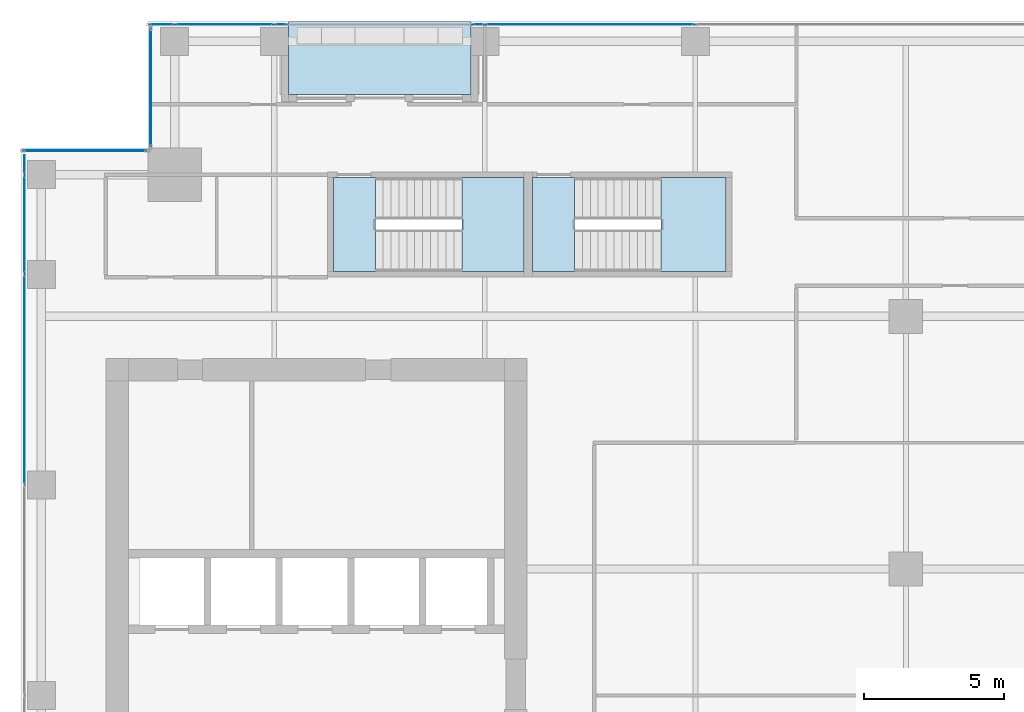
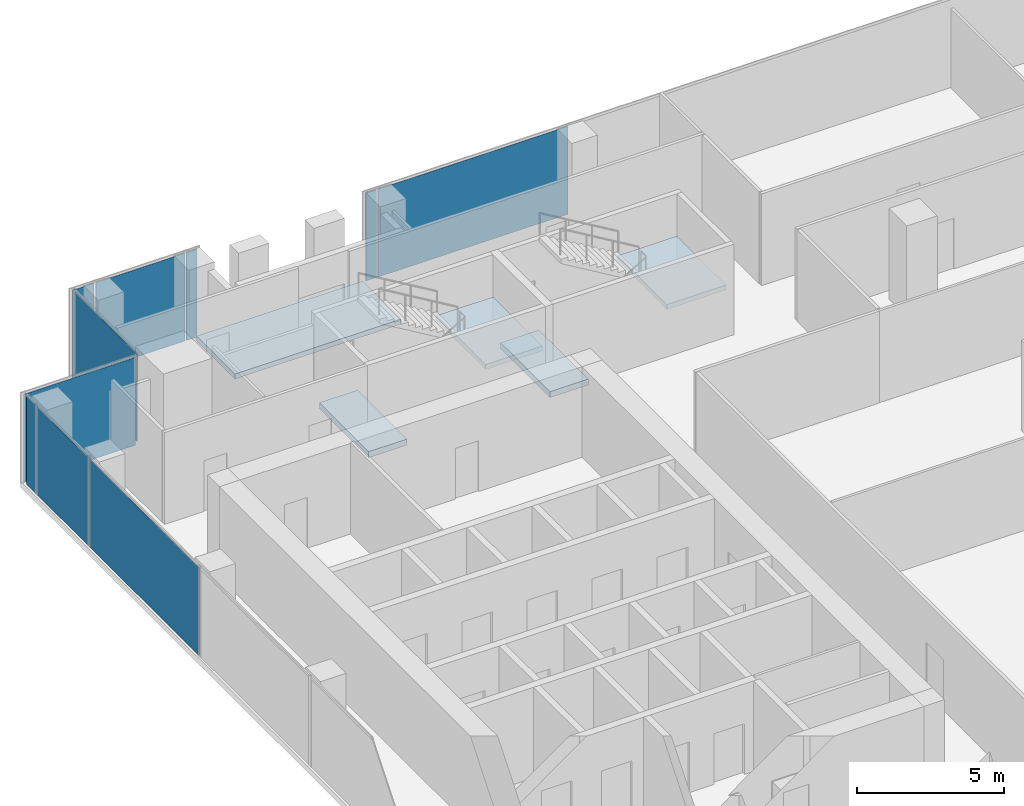
# One storey, part 32 of 40: 10 plates, 5 slabs, 7 elements without a shape of their own.
"""IFC4 building model written with IfcOpenShell, lengths in metres."""

from ifc_helpers import new_model, si_unit, direction, frame, origin, origin_2d, place, context, subcontext, project, spatial, polyline, rectangle, outline, extrude, source, transform, mapped, material, layer, layer_set, type_object, element, aggregate, save


model = new_model("IFC4")

# Units and contexts
model_context = context("Model", 3, precision=1e-05, world=origin(), true_north=direction((0.0, 1.0)))
body_context = subcontext(model_context, "Body", "Model", "MODEL_VIEW")
ifc_project = project(units=[si_unit("LENGTHUNIT", "METRE"), si_unit("AREAUNIT", "SQUARE_METRE"), si_unit("VOLUMEUNIT", "CUBIC_METRE"), si_unit("PLANEANGLEUNIT", "RADIAN"), si_unit("MASSUNIT", "GRAM", prefix="KILO")], contexts=[model_context])

# Site, building, storey
site_placement = place(None, origin())
site = spatial("IfcSite", under=ifc_project, at=site_placement, CompositionType="ELEMENT")
building_placement = place(site_placement, origin())
building = spatial("IfcBuilding", under=site, at=building_placement, Name="Khomas Fold Tower", CompositionType="ELEMENT")
storey_placement = place(building_placement, frame((0.0, 0.0, 192.699951171875)))
storey = spatial("IfcBuildingStorey", under=building, at=storey_placement, Name="L42", CompositionType="ELEMENT", Elevation=192.699951171875)

# Curtain wall, plate
ifc_material_1 = material(Name="Aluminium framed double glazing", Category="aluminium")
curtain_wall_type = type_object("IfcCurtainWallType", Name="SK-Unitised clear-glass wall, office floors CW2", PredefinedType="NOTDEFINED", material=ifc_material_1)
curtain_wall_1_placement = place(storey_placement, origin())
curtain_wall_1 = element("IfcCurtainWall", 1, at=curtain_wall_1_placement, inside=storey, type_object=curtain_wall_type, Name="CW2 corner return L42 08", PredefinedType="NOTDEFINED")
ifc_material_2 = material(Name="Clear double glazed unit")
ifc_layer_1 = layer(ifc_material_2, 0.030029296875)
ifc_layer_set_1 = layer_set([ifc_layer_1], Name="Clear double glazed unit")
plate_type = type_object("IfcPlateType", Name="SK-Unitised clear-glass wall, office floors glass panel CW2-P", PredefinedType="CURTAIN_PANEL", material=ifc_layer_set_1)
shared_shape_1 = source(origin(), body_context, "Body", "SweptSolid", [
    extrude(rectangle(XDim=4.3798828125, YDim=0.030029296875, at=origin_2d()), origin(), (0.0, 0.0, 1.0), 3.639892578125),
])
plate_1_placement = place(storey_placement, frame((5.25, 46.39990234375, 0.0), z_axis=(0.0, 0.0, 1.0), x_axis=(-1.0, 0.0, 0.0)))
plate_1 = element("IfcPlate", 2, at=plate_1_placement, type_object=plate_type, Name="CW2 glass panel 1", PredefinedType="CURTAIN_PANEL", context=body_context, shape_type="MappedRepresentation", body=[
    mapped(shared_shape_1, transform((0.0, 0.0, 0.0))),
])
aggregate(curtain_wall_1, [plate_1])

curtain_wall_2_placement = place(storey_placement, origin())
curtain_wall_2 = element("IfcCurtainWall", 3, at=curtain_wall_2_placement, inside=storey, type_object=curtain_wall_type, Name="CW2 run L42 09-0", PredefinedType="NOTDEFINED")
shared_shape_2 = source(origin(), body_context, "Body", "SweptSolid", [
    extrude(rectangle(XDim=0.659912109375, YDim=0.030029296875, at=origin_2d()), origin(), (0.0, 0.0, 1.0), 3.639892578125),
])
plate_2_placement = place(storey_placement, frame((3.10009765625, 45.909912109375, 0.0), z_axis=(0.0, 0.0, 1.0), x_axis=(0.0, -1.0, 0.0)))
plate_2 = element("IfcPlate", 4, at=plate_2_placement, type_object=plate_type, Name="CW2 glass panel 1", PredefinedType="CURTAIN_PANEL", context=body_context, shape_type="MappedRepresentation", body=[
    mapped(shared_shape_2, transform((0.0, 0.0, 0.0))),
])

curtain_wall_3_placement = place(storey_placement, origin())
curtain_wall_3 = element("IfcCurtainWall", 5, at=curtain_wall_3_placement, inside=storey, type_object=curtain_wall_type, Name="CW2 run L42 06-1", PredefinedType="NOTDEFINED")
shared_shape_3 = source(origin(), body_context, "Body", "SweptSolid", [
    extrude(rectangle(XDim=3.489990234375, YDim=0.030029296875, at=origin_2d()), origin(), (0.0, 0.0, 1.0), 3.639892578125),
])
plate_3_placement = place(storey_placement, frame((10.22509765625, 50.89990234375, 0.0), z_axis=(0.0, 0.0, 1.0), x_axis=(-1.0, 0.0, 0.0)))
plate_3 = element("IfcPlate", 6, at=plate_3_placement, type_object=plate_type, Name="CW2 glass panel 2", PredefinedType="CURTAIN_PANEL", context=body_context, shape_type="MappedRepresentation", body=[
    mapped(shared_shape_3, transform((0.0, 0.0, 0.0))),
])

# Plate
plate_4_placement = place(storey_placement, frame((3.10009765625, 43.77490234375, 0.0), z_axis=(0.0, 0.0, 1.0), x_axis=(0.0, -1.0, 0.0)))
plate_4 = element("IfcPlate", 7, at=plate_4_placement, type_object=plate_type, Name="CW2 glass panel 2", PredefinedType="CURTAIN_PANEL", context=body_context, shape_type="MappedRepresentation", body=[
    mapped(shared_shape_3, transform((0.0, 0.0, 0.0))),
])

# Curtain wall, plate
curtain_wall_4_placement = place(storey_placement, origin())
curtain_wall_4 = element("IfcCurtainWall", 8, at=curtain_wall_4_placement, inside=storey, type_object=curtain_wall_type, Name="CW2 run L42 06-0", PredefinedType="NOTDEFINED")
shared_shape_4 = source(origin(), body_context, "Body", "SweptSolid", [
    extrude(rectangle(XDim=7.43994140625, YDim=0.030029296875, at=origin_2d()), origin(), (0.0, 0.0, 1.0), 3.639892578125),
])
plate_5_placement = place(storey_placement, frame((23.25, 50.89990234375, 0.0), z_axis=(0.0, 0.0, 1.0), x_axis=(-1.0, 0.0, 0.0)))
plate_5 = element("IfcPlate", 9, at=plate_5_placement, type_object=plate_type, Name="CW2 glass panel 3", PredefinedType="CURTAIN_PANEL", context=body_context, shape_type="MappedRepresentation", body=[
    mapped(shared_shape_4, transform((0.0, 0.0, 0.0))),
])

# Plate
plate_6_placement = place(storey_placement, frame((3.10009765625, 38.25, 0.0), z_axis=(0.0, 0.0, 1.0), x_axis=(0.0, -1.0, 0.0)))
plate_6 = element("IfcPlate", 10, at=plate_6_placement, type_object=plate_type, Name="CW2 glass panel 3", PredefinedType="CURTAIN_PANEL", context=body_context, shape_type="MappedRepresentation", body=[
    mapped(shared_shape_4, transform((0.0, 0.0, 0.0))),
])

aggregate(curtain_wall_2, [plate_2, plate_4, plate_6])

# Curtain wall, plate
curtain_wall_5_placement = place(storey_placement, origin())
curtain_wall_5 = element("IfcCurtainWall", 11, at=curtain_wall_5_placement, inside=storey, type_object=curtain_wall_type, Name="CW2 corner return L42 07", PredefinedType="NOTDEFINED")
shared_shape_5 = source(origin(), body_context, "Body", "SweptSolid", [
    extrude(rectangle(XDim=4.179931640625, YDim=0.030029296875, at=origin_2d()), origin(), (0.0, 0.0, 1.0), 3.639892578125),
])
plate_7_placement = place(storey_placement, frame((7.60009765625, 48.64990234375, 0.0), z_axis=(0.0, 0.0, 1.0), x_axis=(0.0, -1.0, 0.0)))
plate_7 = element("IfcPlate", 12, at=plate_7_placement, type_object=plate_type, Name="CW2 glass panel 1", PredefinedType="CURTAIN_PANEL", context=body_context, shape_type="MappedRepresentation", body=[
    mapped(shared_shape_5, transform((0.0, 0.0, 0.0))),
])
aggregate(curtain_wall_5, [plate_7])

# Plate
shared_shape_6 = source(origin(), body_context, "Body", "SweptSolid", [
    extrude(rectangle(XDim=0.409912109375, YDim=0.030029296875, at=origin_2d()), origin(), (0.0, 0.0, 1.0), 3.639892578125),
])
plate_8_placement = place(storey_placement, frame((19.264892578125, 50.89990234375, 0.0), z_axis=(0.0, 0.0, 1.0), x_axis=(-1.0, 0.0, 0.0)))
plate_8 = element("IfcPlate", 13, at=plate_8_placement, type_object=plate_type, Name="CW2 glass panel 4", PredefinedType="CURTAIN_PANEL", context=body_context, shape_type="MappedRepresentation", body=[
    mapped(shared_shape_6, transform((0.0, 0.0, 0.0))),
])

aggregate(curtain_wall_4, [plate_5, plate_8])

plate_9_placement = place(storey_placement, frame((12.235107421875, 50.89990234375, 0.0), z_axis=(0.0, 0.0, 1.0), x_axis=(-1.0, 0.0, 0.0)))
plate_9 = element("IfcPlate", 14, at=plate_9_placement, type_object=plate_type, Name="CW2 glass panel 1", PredefinedType="CURTAIN_PANEL", context=body_context, shape_type="MappedRepresentation", body=[
    mapped(shared_shape_6, transform((0.0, 0.0, 0.0))),
])

shared_shape_7 = source(origin(), body_context, "Body", "SweptSolid", [
    extrude(rectangle(XDim=0.860107421875, YDim=0.030029296875, at=origin_2d()), origin(), (0.0, 0.0, 1.0), 3.639892578125),
])
plate_10_placement = place(storey_placement, frame((7.989990234375, 50.89990234375, 0.0), z_axis=(0.0, 0.0, 1.0), x_axis=(-1.0, 0.0, 0.0)))
plate_10 = element("IfcPlate", 15, at=plate_10_placement, type_object=plate_type, Name="CW2 glass panel 3", PredefinedType="CURTAIN_PANEL", context=body_context, shape_type="MappedRepresentation", body=[
    mapped(shared_shape_7, transform((0.0, 0.0, 0.0))),
])

aggregate(curtain_wall_3, [plate_9, plate_3, plate_10])

# Slab
ifc_material_3 = material(Name="Concrete C40/50", Category="concrete")
ifc_layer_2 = layer(ifc_material_3, 0.205078125)
ifc_layer_set_2 = layer_set([ifc_layer_2], Name="Concrete C40/50")
slab_type_1 = type_object("IfcSlabType", Name="BL-Balcony deck 205", PredefinedType="FLOOR", material=ifc_layer_set_2)
shared_shape_8 = source(origin(), body_context, "Body", "SweptSolid", [
    extrude(outline(polyline([(12.5, 48.39990234375), (19.0, 48.39990234375), (19.0, 51.0), (12.5, 51.0), (12.5, 48.39990234375)])), origin(), (0.0, 0.0, 1.0), 0.205078125),
])
slab_1_placement = place(storey_placement, frame((0.0, 0.0, -0.25)))
element("IfcSlab", 16, at=slab_1_placement, inside=storey, type_object=slab_type_1, Name="Balcony deck BAL-L42-N1", PredefinedType="FLOOR", context=body_context, shape_type="MappedRepresentation", body=[
    mapped(shared_shape_8, transform((0.0, 0.0, 0.0))),
])

# Stair, slab
ifc_material_4 = material(Name="Concrete C40/50", Category="concrete")
stair_type_1 = type_object("IfcStairType", Name="Stair ST1", PredefinedType="HALF_TURN_STAIR", material=ifc_material_4)
stair_1_placement = place(storey_placement, origin())
stair_1 = element("IfcStair", 17, at=stair_1_placement, inside=storey, type_object=stair_type_1, Name="L42 ST1", PredefinedType="HALF_TURN_STAIR")
ifc_material_5 = material(Name="Concrete C40/50", Category="concrete")
ifc_layer_3 = layer(ifc_material_5, 0.199951171875)
ifc_layer_set_3 = layer_set([ifc_layer_3], Name="Concrete C40/50")
slab_type_2 = type_object("IfcSlabType", Name="Stair landing 200", PredefinedType="LANDING", material=ifc_layer_set_3)
shared_shape_9 = source(origin(), body_context, "Body", "SweptSolid", [
    extrude(outline(polyline([(18.679931640625, 42.10009765625), (20.89990234375, 42.10009765625), (20.89990234375, 45.449951171875), (18.679931640625, 45.449951171875), (18.679931640625, 42.10009765625)])), origin(), (0.0, 0.0, 1.0), 0.199951171875),
])
slab_2_placement = place(storey_placement, frame((0.0, 0.0, 1.800048828125)))
slab_2 = element("IfcSlab", 18, at=slab_2_placement, type_object=slab_type_2, Name="ST1 landing 1", PredefinedType="LANDING", context=body_context, shape_type="MappedRepresentation", body=[
    mapped(shared_shape_9, transform((0.0, 0.0, 0.0))),
])
aggregate(stair_1, [slab_2])

# Slab
ifc_material_6 = material(Name="Concrete C40/50", Category="concrete")
ifc_layer_4 = layer(ifc_material_6, 0.25)
ifc_layer_set_4 = layer_set([ifc_layer_4], Name="Concrete C40/50")
slab_type_3 = type_object("IfcSlabType", Name="Stair floor landing 250", PredefinedType="LANDING", material=ifc_layer_set_4)
shared_shape_10 = source(origin(), body_context, "Body", "SweptSolid", [
    extrude(outline(polyline([(15.60009765625, 42.10009765625), (14.10009765625, 42.10009765625), (14.10009765625, 45.449951171875), (15.60009765625, 45.449951171875), (15.60009765625, 42.10009765625)])), origin(), (0.0, 0.0, 1.0), 0.25),
])
slab_3_placement = place(storey_placement, frame((0.0, 0.0, -0.25)))
element("IfcSlab", 19, at=slab_3_placement, inside=storey, type_object=slab_type_3, Name="ST1 floor landing", PredefinedType="LANDING", context=body_context, shape_type="MappedRepresentation", body=[
    mapped(shared_shape_10, transform((0.0, 0.0, 0.0))),
])

# Stair, slab
ifc_material_7 = material(Name="Concrete C40/50", Category="concrete")
stair_type_2 = type_object("IfcStairType", Name="Stair ST3", PredefinedType="HALF_TURN_STAIR", material=ifc_material_7)
stair_2_placement = place(storey_placement, origin())
stair_2 = element("IfcStair", 20, at=stair_2_placement, inside=storey, type_object=stair_type_2, Name="L42 ST3", PredefinedType="HALF_TURN_STAIR")
shared_shape_11 = source(origin(), body_context, "Body", "SweptSolid", [
    extrude(outline(polyline([(25.780029296875, 42.10009765625), (28.10009765625, 42.10009765625), (28.10009765625, 45.449951171875), (25.780029296875, 45.449951171875), (25.780029296875, 42.10009765625)])), origin(), (0.0, 0.0, 1.0), 0.199951171875),
])
slab_4_placement = place(storey_placement, frame((0.0, 0.0, 1.800048828125)))
slab_4 = element("IfcSlab", 21, at=slab_4_placement, type_object=slab_type_2, Name="ST3 landing 1", PredefinedType="LANDING", context=body_context, shape_type="MappedRepresentation", body=[
    mapped(shared_shape_11, transform((0.0, 0.0, 0.0))),
])
aggregate(stair_2, [slab_4])

# Slab
shared_shape_12 = source(origin(), body_context, "Body", "SweptSolid", [
    extrude(outline(polyline([(22.699951171875, 42.10009765625), (21.199951171875, 42.10009765625), (21.199951171875, 45.449951171875), (22.699951171875, 45.449951171875), (22.699951171875, 42.10009765625)])), origin(), (0.0, 0.0, 1.0), 0.25),
])
slab_5_placement = place(storey_placement, frame((0.0, 0.0, -0.25)))
element("IfcSlab", 22, at=slab_5_placement, inside=storey, type_object=slab_type_3, Name="ST3 floor landing", PredefinedType="LANDING", context=body_context, shape_type="MappedRepresentation", body=[
    mapped(shared_shape_12, transform((0.0, 0.0, 0.0))),
])

save(model, "model.ifc")
